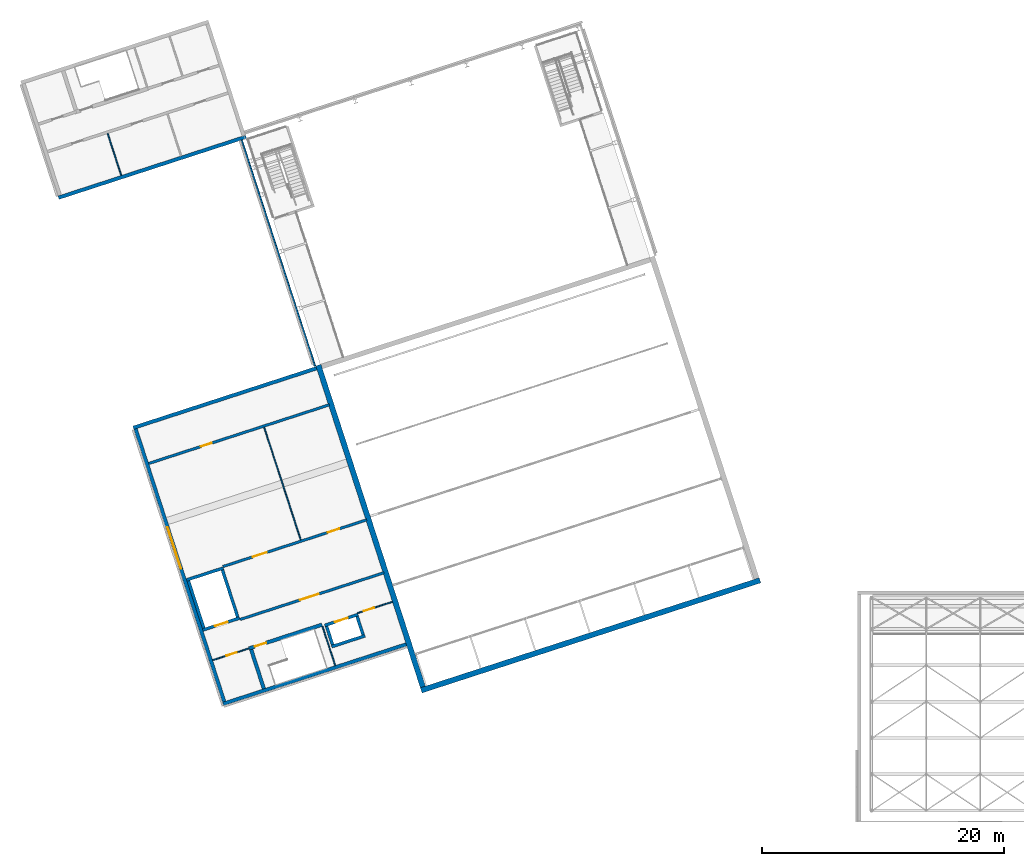
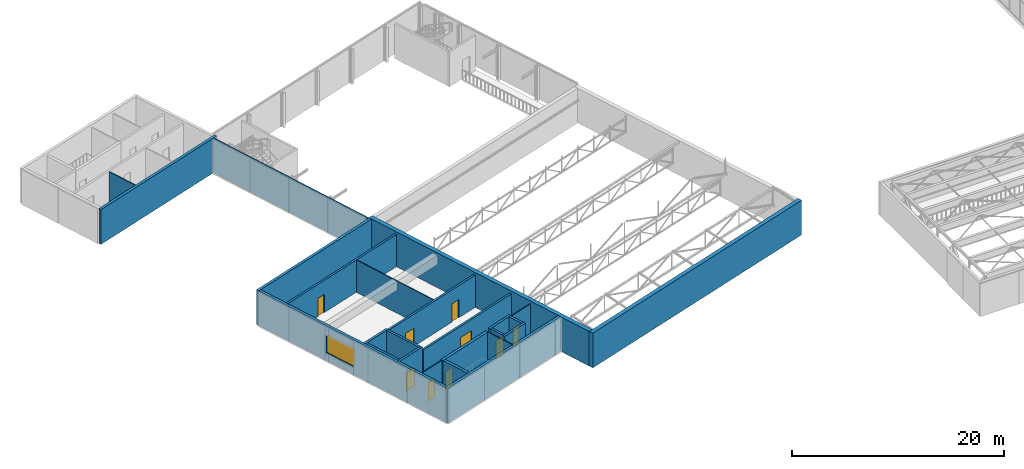
# One storey, part 71 of 81: 25 walls, 9 doors, 1 window, 10 openings.
"""IFC4 building model written with IfcOpenShell, lengths in metres."""

from ifc_helpers import new_model, si_unit, direction, frame, frame_2d, origin, place, context, subcontext, project, spatial, rectangle, extrude, material, layer, layer_set, type_object, element, fill, save


model = new_model("IFC4")

# Units and contexts
model_context = context("Model", 3, precision=1e-05, world=origin(), true_north=direction((0.0, 1.0)))
body_context = subcontext(model_context, "Body", "Model", "MODEL_VIEW")
ifc_project = project(units=[si_unit("LENGTHUNIT", "METRE"), si_unit("AREAUNIT", "SQUARE_METRE"), si_unit("VOLUMEUNIT", "CUBIC_METRE"), si_unit("PLANEANGLEUNIT", "RADIAN"), si_unit("MASSUNIT", "GRAM", prefix="KILO")], contexts=[model_context])

# Site, building, storey
site_placement = place(None, origin())
site = spatial("IfcSite", under=ifc_project, at=site_placement, CompositionType="ELEMENT")
building_placement = place(site_placement, origin())
building = spatial("IfcBuilding", under=site, at=building_placement, Name="Tuart Plaza Theatre", CompositionType="ELEMENT")
storey_placement = place(building_placement, frame((0.0, 0.0, 17.5)))
storey = spatial("IfcBuildingStorey", under=building, at=storey_placement, Name="L04", CompositionType="ELEMENT", Elevation=17.5)

# Walls
ifc_material_1 = material(Name="Plasterboard on steel stud", Category="steel")
ifc_layer_1 = layer(ifc_material_1, 0.10009765625)
ifc_layer_set_1 = layer_set([ifc_layer_1], Name="PARTITION STD100")
wall_type_1 = type_object("IfcWallType", Name="PARTITION STD100", PredefinedType="PARTITIONING", material=ifc_layer_set_1)
wall_1_placement = place(storey_placement, frame((24.9921875, 84.50244140625, 0.0), z_axis=(0.0, 0.0, 1.0), x_axis=(-0.309075455797, 0.951037519041, 0.0)))
element("IfcWall", 1, at=wall_1_placement, inside=storey, type_object=wall_type_1, Name="P279", PredefinedType="PARTITIONING", context=body_context, shape_type="SweptSolid", body=[
    extrude(rectangle(XDim=3.639892578125, YDim=0.10009765625, at=frame_2d((1.81982421875, 0.0))), origin(), (0.0, 0.0, 1.0), 3.699951171875),
])
wall_2_placement = place(storey_placement, frame((39.828857421875, 54.37255859375, 0.0), z_axis=(0.0, 0.0, 1.0), x_axis=(-0.309021722829, 0.951054979914, 0.0)))
element("IfcWall", 2, at=wall_2_placement, inside=storey, type_object=wall_type_1, Name="P282", PredefinedType="PARTITIONING", context=body_context, shape_type="SweptSolid", body=[
    extrude(rectangle(XDim=9.780029296875, YDim=0.10009765625, at=frame_2d((4.89013671875, 0.0))), origin(), (0.0, 0.0, 1.0), 3.699951171875),
])

# Wall, opening, door
ifc_material_2 = material(Name="Plasterboard on steel stud", Category="steel")
ifc_layer_2 = layer(ifc_material_2, 0.10009765625)
ifc_layer_set_2 = layer_set([ifc_layer_2], Name="PARTITION STD100 FRL 120/-/-")
wall_type_2 = type_object("IfcWallType", Name="PARTITION STD100 FRL 120/-/-", PredefinedType="PARTITIONING", material=ifc_layer_set_2)
wall_3_placement = place(storey_placement, frame((32.54638671875, 44.42529296875, 0.0), z_axis=(0.0, 0.0, 1.0), x_axis=(0.951058557014, 0.309010713619, 0.0)))
wall_3 = element("IfcWall", 3, at=wall_3_placement, inside=storey, type_object=wall_type_2, Name="P277", PredefinedType="PARTITIONING", context=body_context, shape_type="SweptSolid", body=[
    extrude(rectangle(XDim=3.14990234375, YDim=0.10009765625, at=frame_2d((1.574951171875, 0.0))), origin(), (0.0, 0.0, 1.0), 3.699951171875),
])
opening_1_placement = place(wall_3_placement, frame((1.199951171875, 0.0, 0.0)))
opening_1 = element("IfcOpeningElement", 4, at=opening_1_placement, cuts=wall_3, Name="Opening L04-006", PredefinedType="OPENING", context=body_context, shape_type="SweptSolid", body=[
    extrude(rectangle(XDim=0.89990234375, YDim=2.10009765625, at=frame_2d((0.449951171875, 1.050048828125))), frame((0.0, 0.06005859375, 0.0), z_axis=(0.0, -1.0, 0.0), x_axis=(1.0, 0.0, 0.0)), (0.0, 0.0, 1.0), 0.1201171875),
])
ifc_material_3 = material(Name="Timber", Category="wood")
door_type_1 = type_object("IfcDoorType", Name="DOOR 900x2100 timber single swing FRL -/60/30", OperationType="SINGLE_SWING_LEFT", PredefinedType="DOOR", material=ifc_material_3)
door_1_placement = place(opening_1_placement, frame((0.89990234375, 0.0, 0.0), z_axis=(0.0, 0.0, 1.0), x_axis=(-1.0, 0.0, 0.0)))
door_1 = element("IfcDoor", 5, at=door_1_placement, inside=storey, type_object=door_type_1, Name="L04-006", OperationType="SINGLE_SWING_RIGHT", OverallHeight=2.10009765625, OverallWidth=0.89990234375, PredefinedType="DOOR", context=body_context, shape_type="SweptSolid", body=[
    extrude(rectangle(XDim=0.89990234375, YDim=2.10009765625, at=frame_2d((0.449951171875, 1.050048828125))), frame((0.0, 0.02490234375, 0.0), z_axis=(0.0, -1.0, 0.0), x_axis=(1.0, 0.0, 0.0)), (0.0, 0.0, 1.0), 0.050048828125),
])
fill(opening_1, door_1)

wall_4_placement = place(storey_placement, frame((44.529541015625, 48.31884765625, 0.0), z_axis=(0.0, 0.0, 1.0), x_axis=(0.951053046121, 0.30902767427, 0.0)))
wall_4 = element("IfcWall", 6, at=wall_4_placement, inside=storey, type_object=wall_type_2, Name="P278", PredefinedType="PARTITIONING", context=body_context, shape_type="SweptSolid", body=[
    extrude(rectangle(XDim=3.02490234375, YDim=0.10009765625, at=frame_2d((1.512451171875, 0.0))), origin(), (0.0, 0.0, 1.0), 3.699951171875),
])
opening_2_placement = place(wall_4_placement, frame((0.533447265625, 0.0, 0.0)))
opening_2 = element("IfcOpeningElement", 7, at=opening_2_placement, cuts=wall_4, Name="Opening L04-007", PredefinedType="OPENING", context=body_context, shape_type="SweptSolid", body=[
    extrude(rectangle(XDim=0.89990234375, YDim=2.10009765625, at=frame_2d((0.449951171875, 1.050048828125))), frame((0.0, 0.06005859375, 0.0), z_axis=(0.0, -1.0, 0.0), x_axis=(1.0, 0.0, 0.0)), (0.0, 0.0, 1.0), 0.1201171875),
])
door_2_placement = place(opening_2_placement, frame((0.89990234375, 0.0, 0.0), z_axis=(0.0, 0.0, 1.0), x_axis=(-1.0, 0.0, 0.0)))
door_2 = element("IfcDoor", 8, at=door_2_placement, inside=storey, type_object=door_type_1, Name="L04-007", OperationType="SINGLE_SWING_LEFT", OverallHeight=2.10009765625, OverallWidth=0.89990234375, PredefinedType="DOOR", context=body_context, shape_type="SweptSolid", body=[
    extrude(rectangle(XDim=0.89990234375, YDim=2.10009765625, at=frame_2d((0.449951171875, 1.050048828125))), frame((0.0, 0.02490234375, 0.0), z_axis=(0.0, -1.0, 0.0), x_axis=(1.0, 0.0, 0.0)), (0.0, 0.0, 1.0), 0.050048828125),
])
fill(opening_2, door_2)

# Walls
ifc_material_4 = material(Name="Plasterboard on steel stud", Category="steel")
ifc_layer_3 = layer(ifc_material_4, 0.10009765625)
ifc_layer_set_3 = layer_set([ifc_layer_3], Name="PARTITION STD100 FRL 120/120/120")
wall_type_3 = type_object("IfcWallType", Name="PARTITION STD100 FRL 120/120/120", PredefinedType="PARTITIONING", material=ifc_layer_set_3)
wall_5_placement = place(storey_placement, frame((42.678466796875, 43.984619140625, 0.0), z_axis=(0.0, 0.0, 1.0), x_axis=(-0.309045481752, 0.951047259714, 0.0)))
element("IfcWall", 9, at=wall_5_placement, inside=storey, type_object=wall_type_3, Name="P280", PredefinedType="PARTITIONING", context=body_context, shape_type="SweptSolid", body=[
    extrude(rectangle(XDim=3.400146484375, YDim=0.10009765625, at=frame_2d((1.7001953125, 0.0))), origin(), (0.0, 0.0, 1.0), 3.699951171875),
])
ifc_material_5 = material(Name="Concrete N40 (40 MPa)", Category="concrete")
ifc_layer_4 = layer(ifc_material_5, 0.25)
ifc_layer_set_4 = layer_set([ifc_layer_4], Name="SHEAR WALL RC250 FRL 120/120/120")
wall_type_4 = type_object("IfcWallType", Name="SHEAR WALL RC250 FRL 120/120/120", PredefinedType="SHEAR", material=ifc_layer_set_4)
wall_6_placement = place(storey_placement, frame((42.3818359375, 45.54443359375, 0.0), z_axis=(0.0, 0.0, 1.0), x_axis=(0.951071801089, 0.308969948659, 0.0)))
element("IfcWall", 10, at=wall_6_placement, inside=storey, type_object=wall_type_4, Name="W188", PredefinedType="SHEAR", context=body_context, shape_type="SweptSolid", body=[
    extrude(rectangle(XDim=2.89990234375, YDim=0.25, at=frame_2d((1.449951171875, 0.0))), origin(), (0.0, 0.0, 1.0), 4.0),
])
wall_7_placement = place(storey_placement, frame((44.982421875, 46.520751953125, 0.0), z_axis=(0.0, 0.0, 1.0), x_axis=(-0.308986014439, 0.951066581729, 0.0)))
element("IfcWall", 11, at=wall_7_placement, inside=storey, type_object=wall_type_4, Name="W189", PredefinedType="SHEAR", context=body_context, shape_type="SweptSolid", body=[
    extrude(rectangle(XDim=1.60009765625, YDim=0.25, at=frame_2d((0.800048828125, 0.0))), origin(), (0.0, 0.0, 1.0), 4.0),
])

# Wall, opening, door
wall_8_placement = place(storey_placement, frame((44.568359375, 48.199951171875, 0.0), z_axis=(0.0, 0.0, 1.0), x_axis=(-0.951047059821, -0.309046096893, 0.0)))
wall_8 = element("IfcWall", 12, at=wall_8_placement, inside=storey, type_object=wall_type_4, Name="W190", PredefinedType="SHEAR", context=body_context, shape_type="SweptSolid", body=[
    extrude(rectangle(XDim=2.89990234375, YDim=0.25, at=frame_2d((1.449951171875, 0.0))), origin(), (0.0, 0.0, 1.0), 4.0),
])
opening_3_placement = place(wall_8_placement, frame((0.89990234375, 0.0, 0.0)))
opening_3 = element("IfcOpeningElement", 13, at=opening_3_placement, cuts=wall_8, Name="Opening L04-001", PredefinedType="OPENING", context=body_context, shape_type="SweptSolid", body=[
    extrude(rectangle(XDim=1.10009765625, YDim=2.10009765625, at=frame_2d((0.550048828125, 1.050048828125))), frame((0.0, 0.135009765625, 0.0), z_axis=(0.0, -1.0, 0.0), x_axis=(1.0, 0.0, 0.0)), (0.0, 0.0, 1.0), 0.27001953125),
])
ifc_material_6 = material(Name="Steel Grade 300", Category="steel")
door_type_2 = type_object("IfcDoorType", Name="LANDING DOOR 1100x2100 steel sliding FRL -/120/30", OperationType="SLIDING_TO_LEFT", PredefinedType="DOOR", material=ifc_material_6)
door_3_placement = place(opening_3_placement, origin())
door_3 = element("IfcDoor", 14, at=door_3_placement, inside=storey, type_object=door_type_2, Name="L04-001", OperationType="SLIDING_TO_LEFT", OverallHeight=2.10009765625, OverallWidth=1.10009765625, PredefinedType="DOOR", context=body_context, shape_type="SweptSolid", body=[
    extrude(rectangle(XDim=1.10009765625, YDim=2.10009765625, at=frame_2d((0.550048828125, 1.050048828125))), frame((0.0, 0.02490234375, 0.0), z_axis=(0.0, -1.0, 0.0), x_axis=(1.0, 0.0, 0.0)), (0.0, 0.0, 1.0), 0.050048828125),
])
fill(opening_3, door_3)

# Wall
wall_9_placement = place(storey_placement, frame((41.9677734375, 47.2236328125, 0.0), z_axis=(0.0, 0.0, 1.0), x_axis=(0.308986014439, -0.951066581729, 0.0)))
element("IfcWall", 15, at=wall_9_placement, inside=storey, type_object=wall_type_4, Name="W191", PredefinedType="SHEAR", context=body_context, shape_type="SweptSolid", body=[
    extrude(rectangle(XDim=1.60009765625, YDim=0.25, at=frame_2d((0.800048828125, 0.0))), origin(), (0.0, 0.0, 1.0), 4.0),
])

# Wall, opening, door
wall_10_placement = place(storey_placement, frame((31.735107421875, 46.921630859375, 0.0), z_axis=(0.0, 0.0, 1.0), x_axis=(0.95104415986, 0.309055020985, 0.0)))
wall_10 = element("IfcWall", 16, at=wall_10_placement, inside=storey, type_object=wall_type_4, Name="W220", PredefinedType="SHEAR", context=body_context, shape_type="SweptSolid", body=[
    extrude(rectangle(XDim=3.2001953125, YDim=0.25, at=frame_2d((1.60009765625, 0.0))), origin(), (0.0, 0.0, 1.0), 4.0),
])
opening_4_placement = place(wall_10_placement, frame((1.050048828125, 0.0, 0.0)))
opening_4 = element("IfcOpeningElement", 17, at=opening_4_placement, cuts=wall_10, Name="Opening L04-002", PredefinedType="OPENING", context=body_context, shape_type="SweptSolid", body=[
    extrude(rectangle(XDim=1.10009765625, YDim=2.10009765625, at=frame_2d((0.550048828125, 1.050048828125))), frame((0.0, 0.135009765625, 0.0), z_axis=(0.0, -1.0, 0.0), x_axis=(1.0, 0.0, 0.0)), (0.0, 0.0, 1.0), 0.27001953125),
])
door_4_placement = place(opening_4_placement, origin())
door_4 = element("IfcDoor", 18, at=door_4_placement, inside=storey, type_object=door_type_2, Name="L04-002", OperationType="SLIDING_TO_LEFT", OverallHeight=2.10009765625, OverallWidth=1.10009765625, PredefinedType="DOOR", context=body_context, shape_type="SweptSolid", body=[
    extrude(rectangle(XDim=1.10009765625, YDim=2.10009765625, at=frame_2d((0.550048828125, 1.050048828125))), frame((0.0, 0.02490234375, 0.0), z_axis=(0.0, -1.0, 0.0), x_axis=(1.0, 0.0, 0.0)), (0.0, 0.0, 1.0), 0.050048828125),
])
fill(opening_4, door_4)

# Walls
wall_11_placement = place(storey_placement, frame((34.62109375, 47.990966796875, 0.0), z_axis=(0.0, 0.0, 1.0), x_axis=(-0.309055103076, 0.951044133184, 0.0)))
element("IfcWall", 19, at=wall_11_placement, inside=storey, type_object=wall_type_4, Name="W221", PredefinedType="SHEAR", context=body_context, shape_type="SweptSolid", body=[
    extrude(rectangle(XDim=4.099853515625, YDim=0.25, at=frame_2d((2.0498046875, 0.0))), origin(), (0.0, 0.0, 1.0), 4.0),
])
wall_12_placement = place(storey_placement, frame((33.434326171875, 52.047607421875, 0.0), z_axis=(0.0, 0.0, 1.0), x_axis=(-0.951066581729, -0.308986014439, 0.0)))
element("IfcWall", 20, at=wall_12_placement, inside=storey, type_object=wall_type_4, Name="W222", PredefinedType="SHEAR", context=body_context, shape_type="SweptSolid", body=[
    extrude(rectangle(XDim=3.199951171875, YDim=0.25, at=frame_2d((1.60009765625, 0.0))), origin(), (0.0, 0.0, 1.0), 4.0),
])
wall_13_placement = place(storey_placement, frame((30.54833984375, 50.978515625, 0.0), z_axis=(0.0, 0.0, 1.0), x_axis=(0.309055103076, -0.951044133184, 0.0)))
element("IfcWall", 21, at=wall_13_placement, inside=storey, type_object=wall_type_4, Name="W223", PredefinedType="SHEAR", context=body_context, shape_type="SweptSolid", body=[
    extrude(rectangle(XDim=4.099853515625, YDim=0.25, at=frame_2d((2.0498046875, 0.0))), origin(), (0.0, 0.0, 1.0), 4.0),
])
ifc_material_7 = material(Name="Concrete N50 (50 MPa)", Category="concrete")
ifc_layer_5 = layer(ifc_material_7, 0.449951171875)
ifc_layer_set_5 = layer_set([ifc_layer_5], Name="SHEAR WALL RC450 N50 FRL 120/120/120")
wall_type_5 = type_object("IfcWallType", Name="SHEAR WALL RC450 N50 FRL 120/120/120", PredefinedType="SHEAR", material=ifc_layer_set_5)
wall_14_placement = place(storey_placement, frame((49.7861328125, 41.930419921875, 0.0), z_axis=(0.0, 0.0, 1.0), x_axis=(0.951055937194, 0.309018776661, 0.0)))
element("IfcWall", 22, at=wall_14_placement, inside=storey, type_object=wall_type_5, Name="W36", PredefinedType="SHEAR", context=body_context, shape_type="SweptSolid", body=[
    extrude(rectangle(XDim=29.449951171875, YDim=0.449951171875, at=frame_2d((14.72509765625, 0.0))), origin(), (0.0, 0.0, 1.0), 4.0),
])
wall_15_placement = place(storey_placement, frame((49.930419921875, 42.2138671875, 0.0), z_axis=(0.0, 0.0, 1.0), x_axis=(-0.309016215614, 0.95105676933, 0.0)))
element("IfcWall", 23, at=wall_15_placement, inside=storey, type_object=wall_type_5, Name="W37", PredefinedType="SHEAR", context=body_context, shape_type="SweptSolid", body=[
    extrude(rectangle(XDim=27.97509765625, YDim=0.449951171875, at=frame_2d((13.987548828125, 0.0))), origin(), (0.0, 0.0, 1.0), 4.0),
])

# Wall, openings, doors
ifc_material_8 = material(Name="Concrete N40 (40 MPa)", Category="concrete")
ifc_layer_6 = layer(ifc_material_8, 0.219970703125)
ifc_layer_set_6 = layer_set([ifc_layer_6], Name="WALL RC220 LB FRL 120/120/120")
wall_type_6 = type_object("IfcWallType", Name="WALL RC220 LB FRL 120/120/120", PredefinedType="SOLIDWALL", material=ifc_layer_set_6)
wall_16_placement = place(storey_placement, frame((33.395751953125, 52.16650390625, 0.0), z_axis=(0.0, 0.0, 1.0), x_axis=(0.951054448053, 0.309023359697, 0.0)))
wall_16 = element("IfcWall", 24, at=wall_16_placement, inside=storey, type_object=wall_type_6, Name="W536", PredefinedType="SOLIDWALL", context=body_context, shape_type="SweptSolid", body=[
    extrude(rectangle(XDim=12.5, YDim=0.219970703125, at=frame_2d((6.25, 0.0))), origin(), (0.0, 0.0, 1.0), 3.699951171875),
])
opening_5_placement = place(wall_16_placement, frame((2.60009765625, 0.0, 0.0)))
opening_5 = element("IfcOpeningElement", 25, at=opening_5_placement, cuts=wall_16, Name="Opening L04-012", PredefinedType="OPENING", context=body_context, shape_type="SweptSolid", body=[
    extrude(rectangle(XDim=1.199951171875, YDim=2.10009765625, at=frame_2d((0.60009765625, 1.050048828125))), frame((0.0, 0.119873046875, 0.0), z_axis=(0.0, -1.0, 0.0), x_axis=(1.0, 0.0, 0.0)), (0.0, 0.0, 1.0), 0.239990234375),
])
opening_6_placement = place(wall_16_placement, frame((9.112548828125, 0.0, 0.0)))
opening_6 = element("IfcOpeningElement", 26, at=opening_6_placement, cuts=wall_16, Name="Opening L04-013", PredefinedType="OPENING", context=body_context, shape_type="SweptSolid", body=[
    extrude(rectangle(XDim=1.0, YDim=2.10009765625, at=frame_2d((0.5, 1.050048828125))), frame((0.0, 0.119873046875, 0.0), z_axis=(0.0, -1.0, 0.0), x_axis=(1.0, 0.0, 0.0)), (0.0, 0.0, 1.0), 0.239990234375),
])
ifc_material_9 = material(Name="Timber", Category="wood")
door_type_3 = type_object("IfcDoorType", Name="DOOR 1000x2100 timber single swing FRL -/120/30", OperationType="SINGLE_SWING_LEFT", PredefinedType="DOOR", material=ifc_material_9)
door_5_placement = place(opening_6_placement, origin())
door_5 = element("IfcDoor", 27, at=door_5_placement, inside=storey, type_object=door_type_3, Name="L04-013", OperationType="SINGLE_SWING_LEFT", OverallHeight=2.10009765625, OverallWidth=1.0, PredefinedType="DOOR", context=body_context, shape_type="SweptSolid", body=[
    extrude(rectangle(XDim=1.0, YDim=2.10009765625, at=frame_2d((0.5, 1.050048828125))), frame((0.0, 0.02490234375, 0.0), z_axis=(0.0, -1.0, 0.0), x_axis=(1.0, 0.0, 0.0)), (0.0, 0.0, 1.0), 0.050048828125),
])
fill(opening_6, door_5)
ifc_material_10 = material(Name="Timber", Category="wood")
door_type_4 = type_object("IfcDoorType", Name="DOOR 1200x2100 timber single swing FRL -/120/30", OperationType="SINGLE_SWING_LEFT", PredefinedType="DOOR", material=ifc_material_10)
door_6_placement = place(opening_5_placement, origin())
door_6 = element("IfcDoor", 28, at=door_6_placement, inside=storey, type_object=door_type_4, Name="L04-012", OperationType="SINGLE_SWING_RIGHT", OverallHeight=2.10009765625, OverallWidth=1.199951171875, PredefinedType="DOOR", context=body_context, shape_type="SweptSolid", body=[
    extrude(rectangle(XDim=1.199951171875, YDim=2.10009765625, at=frame_2d((0.60009765625, 1.050048828125))), frame((0.0, 0.02490234375, 0.0), z_axis=(0.0, -1.0, 0.0), x_axis=(1.0, 0.0, 0.0)), (0.0, 0.0, 1.0), 0.050048828125),
])
fill(opening_5, door_6)

# Wall, opening, door
wall_17_placement = place(storey_placement, frame((27.26220703125, 60.688232421875, 0.0), z_axis=(0.0, 0.0, 1.0), x_axis=(0.951055436362, 0.309020318046, 0.0)))
wall_17 = element("IfcWall", 29, at=wall_17_placement, inside=storey, type_object=wall_type_6, Name="W537", PredefinedType="SOLIDWALL", context=body_context, shape_type="SweptSolid", body=[
    extrude(rectangle(XDim=15.69970703125, YDim=0.219970703125, at=frame_2d((7.849853515625, 0.0))), origin(), (0.0, 0.0, 1.0), 3.699951171875),
])
opening_7_placement = place(wall_17_placement, frame((4.550048828125, 0.0, 0.0)))
opening_7 = element("IfcOpeningElement", 30, at=opening_7_placement, cuts=wall_17, Name="Opening L04-014", PredefinedType="OPENING", context=body_context, shape_type="SweptSolid", body=[
    extrude(rectangle(XDim=0.89990234375, YDim=2.10009765625, at=frame_2d((0.449951171875, 1.050048828125))), frame((0.0, 0.119873046875, 0.0), z_axis=(0.0, -1.0, 0.0), x_axis=(1.0, 0.0, 0.0)), (0.0, 0.0, 1.0), 0.239990234375),
])
ifc_material_11 = material(Name="Timber", Category="wood")
door_type_5 = type_object("IfcDoorType", Name="DOOR 900x2100 timber single swing FRL -/120/30", OperationType="SINGLE_SWING_LEFT", PredefinedType="DOOR", material=ifc_material_11)
door_7_placement = place(opening_7_placement, origin())
door_7 = element("IfcDoor", 31, at=door_7_placement, inside=storey, type_object=door_type_5, Name="L04-014", OperationType="SINGLE_SWING_RIGHT", OverallHeight=2.10009765625, OverallWidth=0.89990234375, PredefinedType="DOOR", context=body_context, shape_type="SweptSolid", body=[
    extrude(rectangle(XDim=0.89990234375, YDim=2.10009765625, at=frame_2d((0.449951171875, 1.050048828125))), frame((0.0, 0.02490234375, 0.0), z_axis=(0.0, -1.0, 0.0), x_axis=(1.0, 0.0, 0.0)), (0.0, 0.0, 1.0), 0.050048828125),
])
fill(opening_7, door_7)

wall_18_placement = place(storey_placement, frame((34.817138671875, 47.791748046875, 0.0), z_axis=(0.0, 0.0, 1.0), x_axis=(0.951054448053, 0.309023359697, 0.0)))
wall_18 = element("IfcWall", 32, at=wall_18_placement, inside=storey, type_object=wall_type_6, Name="W538", PredefinedType="SOLIDWALL", context=body_context, shape_type="SweptSolid", body=[
    extrude(rectangle(XDim=12.5, YDim=0.219970703125, at=frame_2d((6.25, 0.0))), origin(), (0.0, 0.0, 1.0), 3.699951171875),
])
opening_8_placement = place(wall_18_placement, frame((5.212158203125, 0.0, 0.0)))
opening_8 = element("IfcOpeningElement", 33, at=opening_8_placement, cuts=wall_18, Name="Opening L04-011", PredefinedType="OPENING", context=body_context, shape_type="SweptSolid", body=[
    extrude(rectangle(XDim=1.60009765625, YDim=2.39990234375, at=frame_2d((0.800048828125, 1.199951171875))), frame((0.0, 0.119873046875, 0.0), z_axis=(0.0, -1.0, 0.0), x_axis=(1.0, 0.0, 0.0)), (0.0, 0.0, 1.0), 0.239990234375),
])
ifc_material_12 = material(Name="Timber", Category="wood")
door_type_6 = type_object("IfcDoorType", Name="DOOR 1600x2400 timber double swing FRL -/120/30", OperationType="DOUBLE_DOOR_SINGLE_SWING", PredefinedType="DOOR", material=ifc_material_12)
door_8_placement = place(opening_8_placement, frame((1.60009765625, 0.0, 0.0), z_axis=(0.0, 0.0, 1.0), x_axis=(-1.0, 0.0, 0.0)))
door_8 = element("IfcDoor", 34, at=door_8_placement, inside=storey, type_object=door_type_6, Name="L04-011", OperationType="DOUBLE_DOOR_SINGLE_SWING", OverallHeight=2.39990234375, OverallWidth=1.60009765625, PredefinedType="DOOR", context=body_context, shape_type="SweptSolid", body=[
    extrude(rectangle(XDim=1.60009765625, YDim=2.39990234375, at=frame_2d((0.800048828125, 1.199951171875))), frame((0.0, 0.02490234375, 0.0), z_axis=(0.0, -1.0, 0.0), x_axis=(1.0, 0.0, 0.0)), (0.0, 0.0, 1.0), 0.050048828125),
])
fill(opening_8, door_8)

# Wall
ifc_material_13 = material(Name="Concrete N40 (40 MPa)", Category="concrete")
ifc_layer_7 = layer(ifc_material_13, 0.300048828125)
ifc_layer_set_7 = layer_set([ifc_layer_7], Name="WALL RC300 LB FRL 120/120/120")
wall_type_7 = type_object("IfcWallType", Name="WALL RC300 LB FRL 120/120/120", PredefinedType="SOLIDWALL", material=ifc_layer_set_7)
wall_19_placement = place(storey_placement, frame((48.550048828125, 45.734619140625, 0.0), z_axis=(0.0, 0.0, 1.0), x_axis=(-0.951061216338, -0.309002528757, 0.0)))
element("IfcWall", 35, at=wall_19_placement, inside=storey, type_object=wall_type_7, Name="W90", PredefinedType="SOLIDWALL", context=body_context, shape_type="SweptSolid", body=[
    extrude(rectangle(XDim=15.925048828125, YDim=0.300048828125, at=frame_2d((7.96240234375, 0.0))), origin(), (0.0, 0.0, 1.0), 4.0),
])

# Wall, opening, window
wall_20_placement = place(storey_placement, frame((33.500732421875, 41.002685546875, 0.0), z_axis=(0.0, 0.0, 1.0), x_axis=(-0.309018056255, 0.951056171269, 0.0)))
wall_20 = element("IfcWall", 36, at=wall_20_placement, inside=storey, type_object=wall_type_7, Name="W91", PredefinedType="SOLIDWALL", context=body_context, shape_type="SweptSolid", body=[
    extrude(rectangle(XDim=23.699951171875, YDim=0.300048828125, at=frame_2d((11.85009765625, 0.0))), origin(), (0.0, 0.0, 1.0), 4.0),
])
opening_9_placement = place(wall_20_placement, frame((11.550048828125, 0.0, 0.89990234375)))
opening_9 = element("IfcOpeningElement", 37, at=opening_9_placement, cuts=wall_20, Name="Opening WN5", PredefinedType="OPENING", context=body_context, shape_type="SweptSolid", body=[
    extrude(rectangle(XDim=3.60009765625, YDim=2.10009765625, at=frame_2d((1.800048828125, 1.050048828125))), frame((0.0, 0.159912109375, 0.0), z_axis=(0.0, -1.0, 0.0), x_axis=(1.0, 0.0, 0.0)), (0.0, 0.0, 1.0), 0.320068359375),
])
ifc_material_14 = material(Name="Aluminium and glass", Category="aluminium")
window_type = type_object("IfcWindowType", Name="WINDOW 3600x2100 sill 900 aluminium double", PartitioningType="SINGLE_PANEL", PredefinedType="WINDOW", material=ifc_material_14)
window_placement = place(opening_9_placement, origin())
window = element("IfcWindow", 38, at=window_placement, inside=storey, type_object=window_type, Name="WN5", OverallHeight=2.10009765625, OverallWidth=3.60009765625, PartitioningType="SINGLE_PANEL", PredefinedType="WINDOW", context=body_context, shape_type="SweptSolid", body=[
    extrude(rectangle(XDim=3.60009765625, YDim=2.10009765625, at=frame_2d((1.800048828125, 1.050048828125))), frame((0.0, 0.030029296875, 0.0), z_axis=(0.0, -1.0, 0.0), x_axis=(1.0, 0.0, 0.0)), (0.0, 0.0, 1.0), 0.06005859375),
])
fill(opening_9, window)

# Walls
wall_21_placement = place(storey_placement, frame((25.988037109375, 63.638916015625, 0.0), z_axis=(0.0, 0.0, 1.0), x_axis=(0.951055246955, 0.309020900975, 0.0)))
element("IfcWall", 39, at=wall_21_placement, inside=storey, type_object=wall_type_7, Name="W92", PredefinedType="SOLIDWALL", context=body_context, shape_type="SweptSolid", body=[
    extrude(rectangle(XDim=15.925048828125, YDim=0.300048828125, at=frame_2d((7.96240234375, 0.0))), origin(), (0.0, 0.0, 1.0), 4.0),
])
wall_22_placement = place(storey_placement, frame((35.309814453125, 87.697021484375, 0.0), z_axis=(0.0, 0.0, 1.0), x_axis=(-0.951058391285, -0.309011223689, 0.0)))
element("IfcWall", 40, at=wall_22_placement, inside=storey, type_object=wall_type_7, Name="W93", PredefinedType="SOLIDWALL", context=body_context, shape_type="SweptSolid", body=[
    extrude(rectangle(XDim=16.300048828125, YDim=0.300048828125, at=frame_2d((8.14990234375, 0.0))), origin(), (0.0, 0.0, 1.0), 4.0),
])

# Wall, opening, door
wall_23_placement = place(storey_placement, frame((41.581298828125, 47.36083984375, 0.0), z_axis=(0.0, 0.0, 1.0), x_axis=(-0.951058929949, -0.309009565815, 0.0)))
wall_23 = element("IfcWall", 41, at=wall_23_placement, inside=storey, type_object=wall_type_7, Name="W109", PredefinedType="SOLIDWALL", context=body_context, shape_type="SweptSolid", body=[
    extrude(rectangle(XDim=6.349853515625, YDim=0.300048828125, at=frame_2d((3.1748046875, 0.0))), origin(), (0.0, 0.0, 1.0), 3.699951171875),
])
opening_10_placement = place(wall_23_placement, frame((4.85009765625, 0.0, 0.0)))
opening_10 = element("IfcOpeningElement", 42, at=opening_10_placement, cuts=wall_23, Name="Opening L04-018", PredefinedType="OPENING", context=body_context, shape_type="SweptSolid", body=[
    extrude(rectangle(XDim=1.0, YDim=2.10009765625, at=frame_2d((0.5, 1.050048828125))), frame((0.0, 0.159912109375, 0.0), z_axis=(0.0, -1.0, 0.0), x_axis=(1.0, 0.0, 0.0)), (0.0, 0.0, 1.0), 0.320068359375),
])
door_9_placement = place(opening_10_placement, origin())
door_9 = element("IfcDoor", 43, at=door_9_placement, inside=storey, type_object=door_type_3, Name="L04-018", OperationType="SINGLE_SWING_LEFT", OverallHeight=2.10009765625, OverallWidth=1.0, PredefinedType="DOOR", context=body_context, shape_type="SweptSolid", body=[
    extrude(rectangle(XDim=1.0, YDim=2.10009765625, at=frame_2d((0.5, 1.050048828125))), frame((0.0, 0.02490234375, 0.0), z_axis=(0.0, -1.0, 0.0), x_axis=(1.0, 0.0, 0.0)), (0.0, 0.0, 1.0), 0.050048828125),
])
fill(opening_10, door_9)

# Walls
wall_24_placement = place(storey_placement, frame((35.731201171875, 45.30224609375, 0.0), z_axis=(0.0, 0.0, 1.0), x_axis=(0.308980533303, -0.951068362443, 0.0)))
element("IfcWall", 44, at=wall_24_placement, inside=storey, type_object=wall_type_7, Name="W110", PredefinedType="SOLIDWALL", context=body_context, shape_type="SweptSolid", body=[
    extrude(rectangle(XDim=3.39990234375, YDim=0.300048828125, at=frame_2d((1.699951171875, 0.0))), origin(), (0.0, 0.0, 1.0), 3.699951171875),
])
ifc_material_15 = material(Name="Zinc")
ifc_layer_8 = layer(ifc_material_15, 0.139892578125)
ifc_layer_set_8 = layer_set([ifc_layer_8], Name="WALL ZIN140 ZINC EXT")
wall_type_8 = type_object("IfcWallType", Name="WALL ZIN140 ZINC EXT", PredefinedType="SOLIDWALL", material=ifc_layer_set_8)
wall_25_placement = place(storey_placement, frame((41.005126953125, 68.728515625, 0.0), z_axis=(0.0, 0.0, 1.0), x_axis=(-0.309017523599, 0.95105634434, 0.0)))
element("IfcWall", 45, at=wall_25_placement, inside=storey, type_object=wall_type_8, Name="P14", PredefinedType="SOLIDWALL", context=body_context, shape_type="SweptSolid", body=[
    extrude(rectangle(XDim=19.650146484375, YDim=0.139892578125, at=frame_2d((9.8251953125, 0.0))), origin(), (0.0, 0.0, 1.0), 4.0),
])

save(model, "model.ifc")
